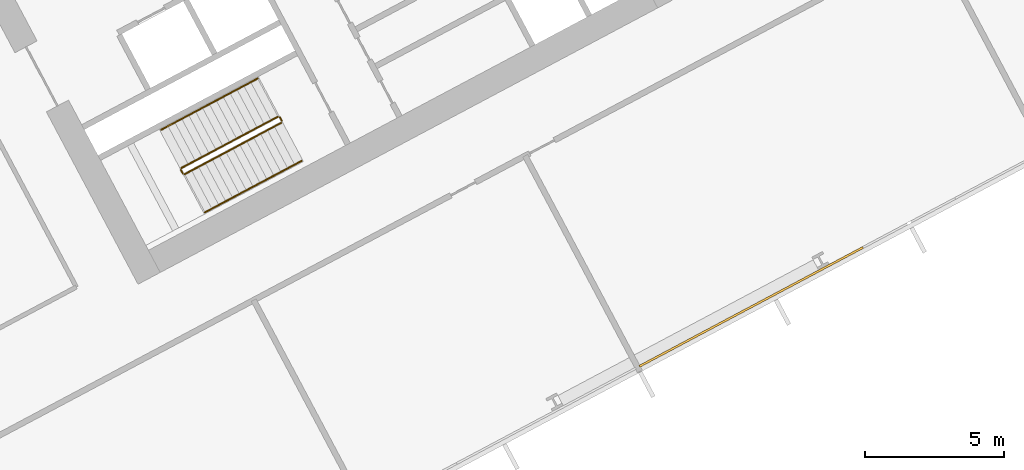
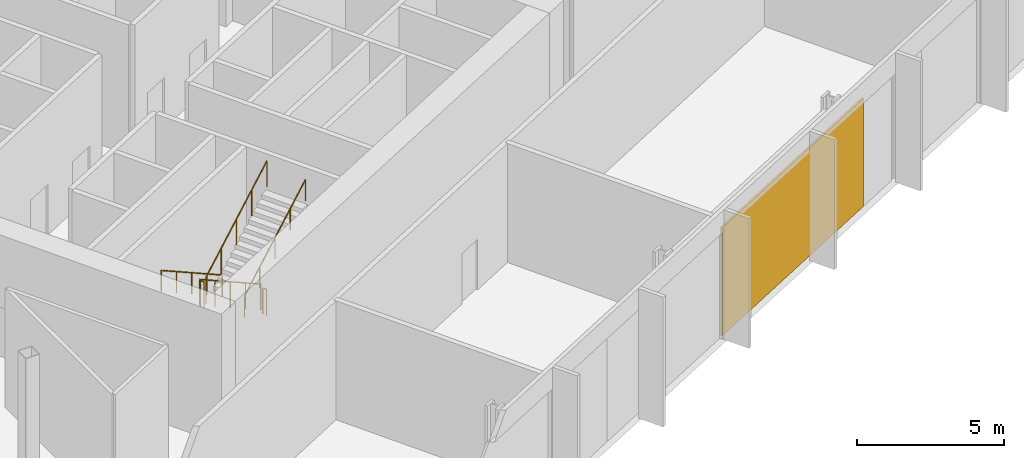
# One storey, part 26 of 30: 6 railings, 1 covering, 1 element without a shape of its own.
"""IFC4 building model written with IfcOpenShell, lengths in metres."""

from ifc_helpers import new_model, si_unit, direction, frame, origin, origin_2d, place, context, subcontext, project, spatial, polyline, rectangle, outline, extrude, material, layer, layer_set, type_object, element, aggregate, save


model = new_model("IFC4")

# Units and contexts
model_context = context("Model", 3, precision=1e-05, world=origin(), true_north=direction((0.0, 1.0)))
body_context = subcontext(model_context, "Body", "Model", "MODEL_VIEW")
ifc_project = project(units=[si_unit("LENGTHUNIT", "METRE"), si_unit("AREAUNIT", "SQUARE_METRE"), si_unit("VOLUMEUNIT", "CUBIC_METRE"), si_unit("PLANEANGLEUNIT", "RADIAN"), si_unit("MASSUNIT", "GRAM", prefix="KILO")], contexts=[model_context])

# Site, building, storey
site_placement = place(None, origin())
site = spatial("IfcSite", under=ifc_project, at=site_placement, CompositionType="ELEMENT")
building_placement = place(site_placement, origin())
building = spatial("IfcBuilding", under=site, at=building_placement, Name="Cormorant Relay Tower", CompositionType="ELEMENT")
storey_placement = place(building_placement, frame((0.0, 0.0, 55.39990234375)))
storey = spatial("IfcBuildingStorey", under=building, at=storey_placement, Name="L10", CompositionType="ELEMENT", Elevation=55.39990234375)

# Curtain wall, covering
ifc_material_1 = material(Name="Aluminium 6063-T6 anodised bronze", Category="aluminium")
ifc_layer_1 = layer(ifc_material_1, 0.235107421875)
ifc_layer_set_1 = layer_set([ifc_layer_1], Name="CW6 data hall curtain wall with mineral wool panels")
curtain_wall_type = type_object("IfcCurtainWallType", Name="CW6 data hall curtain wall with mineral wool panels", PredefinedType="NOTDEFINED", material=ifc_layer_set_1)
curtain_wall_placement = place(storey_placement, origin())
curtain_wall = element("IfcCurtainWall", 1, at=curtain_wall_placement, inside=storey, type_object=curtain_wall_type, Name="CW6 curtain wall 2", PredefinedType="NOTDEFINED")
ifc_material_2 = material(Name="Mineral wool cored anodised bronze aluminium cassette panel", Category="aluminium")
ifc_layer_2 = layer(ifc_material_2, 0.074951171875)
ifc_layer_set_2 = layer_set([ifc_layer_2], Name="CW6 mineral wool cassette panel 75")
covering_type = type_object("IfcCoveringType", Name="CW6 mineral wool cassette panel 75", PredefinedType="CLADDING", material=ifc_layer_set_2)
covering_placement = place(storey_placement, frame((40.80517578125, -2.1298828125, 0.0), z_axis=(0.0, 0.0, 1.0), x_axis=(0.882947592859, 0.469471562786, 0.0)))
covering = element("IfcCovering", 2, at=covering_placement, type_object=covering_type, Name="CW6 panel S07", PredefinedType="CLADDING", context=body_context, shape_type="SweptSolid", body=[
    extrude(rectangle(XDim=9.07373046875, YDim=0.074951171875, at=origin_2d()), origin(), (0.0, 0.0, 1.0), 4.5),
])
aggregate(curtain_wall, [covering])

# Railings
ifc_material_3 = material(Name="Steel ASTM A572 Grade 50 (Fy 345 MPa)", Category="steel")
railing_type_1 = type_object("IfcRailingType", Name="Stair guard 1100", PredefinedType="GUARDRAIL", material=ifc_material_3)
railing_1_placement = place(storey_placement, frame((23.83837890625, 4.6904296875, 0.18017578125)))
element("IfcRailing", 3, at=railing_1_placement, inside=storey, type_object=railing_type_1, Name="L10 B1 stair guard 1", PredefinedType="GUARDRAIL", context=body_context, shape_type="SweptSolid", body=[
    extrude(outline(polyline([(0.022216796875, 0.00927734375), (0.00927734375, 0.022216796875), (-0.00927734375, 0.022216796875), (-0.022216796875, 0.00927734375), (-0.022216796875, -0.00927734375), (-0.00927734375, -0.022216796875), (0.00927734375, -0.022216796875), (0.022216796875, -0.00927734375), (0.022216796875, 0.00927734375)])), frame((0.0, 0.0, 1.076171875), z_axis=(-0.74271721126, -0.394907409077, 0.540758062681), x_axis=(0.469469396681, -0.882948744594, 0.0)), (0.0, 0.0, 1.0), 4.66015625),
    extrude(outline(polyline([(0.019287109375, 0.008056640625), (0.008056640625, 0.019287109375), (-0.008056640625, 0.019287109375), (-0.019287109375, 0.008056640625), (-0.019287109375, -0.008056640625), (-0.008056640625, -0.019287109375), (0.008056640625, -0.019287109375), (0.019287109375, -0.008056640625), (0.019287109375, 0.008056640625)])), origin(), (0.0, 0.0, 1.0), 1.052001953125),
    extrude(outline(polyline([(0.019287109375, 0.008056640625), (0.008056640625, 0.019287109375), (-0.008056640625, 0.019287109375), (-0.019287109375, 0.008056640625), (-0.019287109375, -0.008056640625), (-0.008056640625, -0.019287109375), (0.008056640625, -0.019287109375), (0.019287109375, -0.008056640625), (0.019287109375, 0.008056640625)])), frame((-0.865234375, -0.4599609375, 0.6298828125)), (0.0, 0.0, 1.0), 1.052001953125),
    extrude(outline(polyline([(0.019287109375, 0.008056640625), (0.008056640625, 0.019287109375), (-0.008056640625, 0.019287109375), (-0.019287109375, 0.008056640625), (-0.019287109375, -0.008056640625), (-0.008056640625, -0.019287109375), (0.008056640625, -0.019287109375), (0.019287109375, -0.008056640625), (0.019287109375, 0.008056640625)])), frame((-1.73046875, -0.920166015625, 1.260009765625)), (0.0, 0.0, 1.0), 1.052001953125),
    extrude(outline(polyline([(0.019287109375, 0.008056640625), (0.008056640625, 0.019287109375), (-0.008056640625, 0.019287109375), (-0.019287109375, 0.008056640625), (-0.019287109375, -0.008056640625), (-0.008056640625, -0.019287109375), (0.008056640625, -0.019287109375), (0.019287109375, -0.008056640625), (0.019287109375, 0.008056640625)])), frame((-2.595947265625, -1.38037109375, 1.89013671875)), (0.0, 0.0, 1.0), 1.052001953125),
    extrude(outline(polyline([(0.019287109375, 0.008056640625), (0.008056640625, 0.019287109375), (-0.008056640625, 0.019287109375), (-0.019287109375, 0.008056640625), (-0.019287109375, -0.008056640625), (-0.008056640625, -0.019287109375), (0.008056640625, -0.019287109375), (0.019287109375, -0.008056640625), (0.019287109375, 0.008056640625)])), frame((-3.461181640625, -1.84033203125, 2.52001953125)), (0.0, 0.0, 1.0), 1.052001953125),
])
railing_2_placement = place(storey_placement, frame((20.3564453125, 2.782470703125, 2.7001953125)))
element("IfcRailing", 4, at=railing_2_placement, inside=storey, type_object=railing_type_1, Name="L10 B1 stair guard 2", PredefinedType="GUARDRAIL", context=body_context, shape_type="SweptSolid", body=[
    extrude(outline(polyline([(0.022216796875, 0.00927734375), (0.00927734375, 0.022216796875), (-0.00927734375, 0.022216796875), (-0.022216796875, 0.00927734375), (-0.022216796875, -0.00927734375), (-0.00927734375, -0.022216796875), (0.00927734375, -0.022216796875), (0.022216796875, -0.00927734375), (0.022216796875, 0.00927734375)])), frame((0.0, 0.0, 1.076171875), z_axis=(0.470503732759, -0.882398003998, 0.0), x_axis=(0.882398003998, 0.470503732759, 0.0)), (0.0, 0.0, 1.0), 0.14990234375),
    extrude(outline(polyline([(0.019287109375, 0.008056640625), (0.008056640625, 0.019287109375), (-0.008056640625, 0.019287109375), (-0.019287109375, 0.008056640625), (-0.019287109375, -0.008056640625), (-0.008056640625, -0.019287109375), (0.008056640625, -0.019287109375), (0.019287109375, -0.008056640625), (0.019287109375, 0.008056640625)])), origin(), (0.0, 0.0, 1.0), 1.052001953125),
    extrude(outline(polyline([(0.019287109375, 0.008056640625), (0.008056640625, 0.019287109375), (-0.008056640625, 0.019287109375), (-0.019287109375, 0.008056640625), (-0.019287109375, -0.008056640625), (-0.008056640625, -0.019287109375), (0.008056640625, -0.019287109375), (0.019287109375, -0.008056640625), (0.019287109375, 0.008056640625)])), frame((0.070556640625, -0.13232421875, 0.0)), (0.0, 0.0, 1.0), 1.052001953125),
])
railing_3_placement = place(storey_placement, frame((20.49462890625, 2.62939453125, 2.880126953125)))
element("IfcRailing", 5, at=railing_3_placement, inside=storey, type_object=railing_type_1, Name="L10 B1 stair guard 3", PredefinedType="GUARDRAIL", context=body_context, shape_type="SweptSolid", body=[
    extrude(outline(polyline([(0.022216796875, 0.00927734375), (0.00927734375, 0.022216796875), (-0.00927734375, 0.022216796875), (-0.022216796875, 0.00927734375), (-0.022216796875, -0.00927734375), (-0.00927734375, -0.022216796875), (0.00927734375, -0.022216796875), (0.022216796875, -0.00927734375), (0.022216796875, 0.00927734375)])), frame((0.0, 0.0, 1.076171875), z_axis=(0.742693720225, 0.394922775329, 0.540779104131), x_axis=(-0.469495214196, 0.882935016775, 0.0)), (0.0, 0.0, 1.0), 4.659912109375),
    extrude(outline(polyline([(0.019287109375, 0.008056640625), (0.008056640625, 0.019287109375), (-0.008056640625, 0.019287109375), (-0.019287109375, 0.008056640625), (-0.019287109375, -0.008056640625), (-0.008056640625, -0.019287109375), (0.008056640625, -0.019287109375), (0.019287109375, -0.008056640625), (0.019287109375, 0.008056640625)])), origin(), (0.0, 0.0, 1.0), 1.052001953125),
    extrude(outline(polyline([(0.019287109375, 0.008056640625), (0.008056640625, 0.019287109375), (-0.008056640625, 0.019287109375), (-0.019287109375, 0.008056640625), (-0.019287109375, -0.008056640625), (-0.008056640625, -0.019287109375), (0.008056640625, -0.019287109375), (0.019287109375, -0.008056640625), (0.019287109375, 0.008056640625)])), frame((0.865234375, 0.4599609375, 0.6298828125)), (0.0, 0.0, 1.0), 1.052001953125),
    extrude(outline(polyline([(0.019287109375, 0.008056640625), (0.008056640625, 0.019287109375), (-0.008056640625, 0.019287109375), (-0.019287109375, 0.008056640625), (-0.019287109375, -0.008056640625), (-0.008056640625, -0.019287109375), (0.008056640625, -0.019287109375), (0.019287109375, -0.008056640625), (0.019287109375, 0.008056640625)])), frame((1.73046875, 0.920166015625, 1.260009765625)), (0.0, 0.0, 1.0), 1.052001953125),
    extrude(outline(polyline([(0.019287109375, 0.008056640625), (0.008056640625, 0.019287109375), (-0.008056640625, 0.019287109375), (-0.019287109375, 0.008056640625), (-0.019287109375, -0.008056640625), (-0.008056640625, -0.019287109375), (0.008056640625, -0.019287109375), (0.019287109375, -0.008056640625), (0.019287109375, 0.008056640625)])), frame((2.595703125, 1.38037109375, 1.89013671875)), (0.0, 0.0, 1.0), 1.052001953125),
    extrude(outline(polyline([(0.019287109375, 0.008056640625), (0.008056640625, 0.019287109375), (-0.008056640625, 0.019287109375), (-0.019287109375, 0.008056640625), (-0.019287109375, -0.008056640625), (-0.008056640625, -0.019287109375), (0.008056640625, -0.019287109375), (0.019287109375, -0.008056640625), (0.019287109375, 0.008056640625)])), frame((3.4609375, 1.84033203125, 2.52001953125)), (0.0, 0.0, 1.0), 1.052001953125),
])
railing_4_placement = place(storey_placement, frame((23.906005859375, 4.669677734375, 0.0)))
element("IfcRailing", 6, at=railing_4_placement, inside=storey, type_object=railing_type_1, Name="L10 B1 stair guard 4", PredefinedType="GUARDRAIL", context=body_context, shape_type="SweptSolid", body=[
    extrude(outline(polyline([(0.022216796875, 0.00927734375), (0.00927734375, 0.022216796875), (-0.00927734375, 0.022216796875), (-0.022216796875, 0.00927734375), (-0.022216796875, -0.00927734375), (-0.00927734375, -0.022216796875), (0.00927734375, -0.022216796875), (0.022216796875, -0.00927734375), (0.022216796875, 0.00927734375)])), frame((0.0, 0.0, 1.076171875), z_axis=(0.469234640946, -0.883073525669, 0.0), x_axis=(0.883073525669, 0.469234640946, 0.0)), (0.0, 0.0, 1.0), 0.14990234375),
    extrude(outline(polyline([(0.019287109375, 0.008056640625), (0.008056640625, 0.019287109375), (-0.008056640625, 0.019287109375), (-0.019287109375, 0.008056640625), (-0.019287109375, -0.008056640625), (-0.008056640625, -0.019287109375), (0.008056640625, -0.019287109375), (0.019287109375, -0.008056640625), (0.019287109375, 0.008056640625)])), origin(), (0.0, 0.0, 1.0), 1.052001953125),
    extrude(outline(polyline([(0.019287109375, 0.008056640625), (0.008056640625, 0.019287109375), (-0.008056640625, 0.019287109375), (-0.019287109375, 0.008056640625), (-0.019287109375, -0.008056640625), (-0.008056640625, -0.019287109375), (0.008056640625, -0.019287109375), (0.019287109375, -0.008056640625), (0.019287109375, 0.008056640625)])), frame((0.0703125, -0.13232421875, 0.0)), (0.0, 0.0, 1.0), 1.052001953125),
])
ifc_material_4 = material(Name="Steel ASTM A572 Grade 50 (Fy 345 MPa)", Category="steel")
railing_type_2 = type_object("IfcRailingType", Name="Stair handrail 900", PredefinedType="HANDRAIL", material=ifc_material_4)
railing_5_placement = place(storey_placement, frame((23.110595703125, 6.05908203125, 0.18017578125)))
element("IfcRailing", 7, at=railing_5_placement, inside=storey, type_object=railing_type_2, Name="L10 B1 stair handrail 1", PredefinedType="HANDRAIL", context=body_context, shape_type="SweptSolid", body=[
    extrude(outline(polyline([(0.022216796875, 0.00927734375), (0.00927734375, 0.022216796875), (-0.00927734375, 0.022216796875), (-0.022216796875, 0.00927734375), (-0.022216796875, -0.00927734375), (-0.00927734375, -0.022216796875), (0.00927734375, -0.022216796875), (0.022216796875, -0.00927734375), (0.022216796875, 0.00927734375)])), frame((0.0, 0.0, 0.8759765625), z_axis=(-0.74271721126, -0.394907409077, 0.540758062681), x_axis=(0.469469396681, -0.882948744594, 0.0)), (0.0, 0.0, 1.0), 4.66015625),
    extrude(outline(polyline([(0.019287109375, 0.008056640625), (0.008056640625, 0.019287109375), (-0.008056640625, 0.019287109375), (-0.019287109375, 0.008056640625), (-0.019287109375, -0.008056640625), (-0.008056640625, -0.019287109375), (0.008056640625, -0.019287109375), (0.019287109375, -0.008056640625), (0.019287109375, 0.008056640625)])), origin(), (0.0, 0.0, 1.0), 0.851806640625),
    extrude(outline(polyline([(0.019287109375, 0.008056640625), (0.008056640625, 0.019287109375), (-0.008056640625, 0.019287109375), (-0.019287109375, 0.008056640625), (-0.019287109375, -0.008056640625), (-0.008056640625, -0.019287109375), (0.008056640625, -0.019287109375), (0.019287109375, -0.008056640625), (0.019287109375, 0.008056640625)])), frame((-0.865234375, -0.4599609375, 0.6298828125)), (0.0, 0.0, 1.0), 0.851806640625),
    extrude(outline(polyline([(0.019287109375, 0.008056640625), (0.008056640625, 0.019287109375), (-0.008056640625, 0.019287109375), (-0.019287109375, 0.008056640625), (-0.019287109375, -0.008056640625), (-0.008056640625, -0.019287109375), (0.008056640625, -0.019287109375), (0.019287109375, -0.008056640625), (0.019287109375, 0.008056640625)])), frame((-1.73046875, -0.920166015625, 1.260009765625)), (0.0, 0.0, 1.0), 0.851806640625),
    extrude(outline(polyline([(0.019287109375, 0.008056640625), (0.008056640625, 0.019287109375), (-0.008056640625, 0.019287109375), (-0.019287109375, 0.008056640625), (-0.019287109375, -0.008056640625), (-0.008056640625, -0.019287109375), (0.008056640625, -0.019287109375), (0.019287109375, -0.008056640625), (0.019287109375, 0.008056640625)])), frame((-2.595947265625, -1.38037109375, 1.89013671875)), (0.0, 0.0, 1.0), 0.851806640625),
    extrude(outline(polyline([(0.019287109375, 0.008056640625), (0.008056640625, 0.019287109375), (-0.008056640625, 0.019287109375), (-0.019287109375, 0.008056640625), (-0.019287109375, -0.008056640625), (-0.008056640625, -0.019287109375), (0.008056640625, -0.019287109375), (0.019287109375, -0.008056640625), (0.019287109375, 0.008056640625)])), frame((-3.461181640625, -1.84033203125, 2.52001953125)), (0.0, 0.0, 1.0), 0.851806640625),
])
railing_6_placement = place(storey_placement, frame((21.22216796875, 1.2607421875, 2.880126953125)))
element("IfcRailing", 8, at=railing_6_placement, inside=storey, type_object=railing_type_2, Name="L10 B1 stair handrail 2", PredefinedType="HANDRAIL", context=body_context, shape_type="SweptSolid", body=[
    extrude(outline(polyline([(0.022216796875, 0.00927734375), (0.00927734375, 0.022216796875), (-0.00927734375, 0.022216796875), (-0.022216796875, 0.00927734375), (-0.022216796875, -0.00927734375), (-0.00927734375, -0.022216796875), (0.00927734375, -0.022216796875), (0.022216796875, -0.00927734375), (0.022216796875, 0.00927734375)])), frame((0.0, 0.0, 0.8759765625), z_axis=(0.74271721126, 0.394907409077, 0.540758062681), x_axis=(-0.469469396681, 0.882948744594, 0.0)), (0.0, 0.0, 1.0), 4.66015625),
    extrude(outline(polyline([(0.019287109375, 0.008056640625), (0.008056640625, 0.019287109375), (-0.008056640625, 0.019287109375), (-0.019287109375, 0.008056640625), (-0.019287109375, -0.008056640625), (-0.008056640625, -0.019287109375), (0.008056640625, -0.019287109375), (0.019287109375, -0.008056640625), (0.019287109375, 0.008056640625)])), origin(), (0.0, 0.0, 1.0), 0.851806640625),
    extrude(outline(polyline([(0.019287109375, 0.008056640625), (0.008056640625, 0.019287109375), (-0.008056640625, 0.019287109375), (-0.019287109375, 0.008056640625), (-0.019287109375, -0.008056640625), (-0.008056640625, -0.019287109375), (0.008056640625, -0.019287109375), (0.019287109375, -0.008056640625), (0.019287109375, 0.008056640625)])), frame((0.865234375, 0.4599609375, 0.6298828125)), (0.0, 0.0, 1.0), 0.851806640625),
    extrude(outline(polyline([(0.019287109375, 0.008056640625), (0.008056640625, 0.019287109375), (-0.008056640625, 0.019287109375), (-0.019287109375, 0.008056640625), (-0.019287109375, -0.008056640625), (-0.008056640625, -0.019287109375), (0.008056640625, -0.019287109375), (0.019287109375, -0.008056640625), (0.019287109375, 0.008056640625)])), frame((1.73046875, 0.920166015625, 1.260009765625)), (0.0, 0.0, 1.0), 0.851806640625),
    extrude(outline(polyline([(0.019287109375, 0.008056640625), (0.008056640625, 0.019287109375), (-0.008056640625, 0.019287109375), (-0.019287109375, 0.008056640625), (-0.019287109375, -0.008056640625), (-0.008056640625, -0.019287109375), (0.008056640625, -0.019287109375), (0.019287109375, -0.008056640625), (0.019287109375, 0.008056640625)])), frame((2.595947265625, 1.38037109375, 1.89013671875)), (0.0, 0.0, 1.0), 0.851806640625),
    extrude(outline(polyline([(0.019287109375, 0.008056640625), (0.008056640625, 0.019287109375), (-0.008056640625, 0.019287109375), (-0.019287109375, 0.008056640625), (-0.019287109375, -0.008056640625), (-0.008056640625, -0.019287109375), (0.008056640625, -0.019287109375), (0.019287109375, -0.008056640625), (0.019287109375, 0.008056640625)])), frame((3.461181640625, 1.84033203125, 2.52001953125)), (0.0, 0.0, 1.0), 0.851806640625),
])

save(model, "model.ifc")
